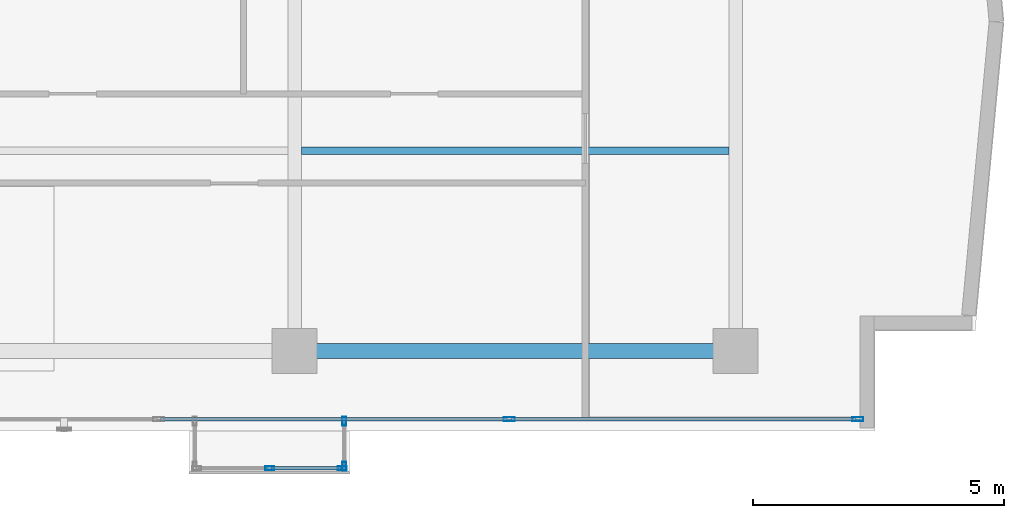
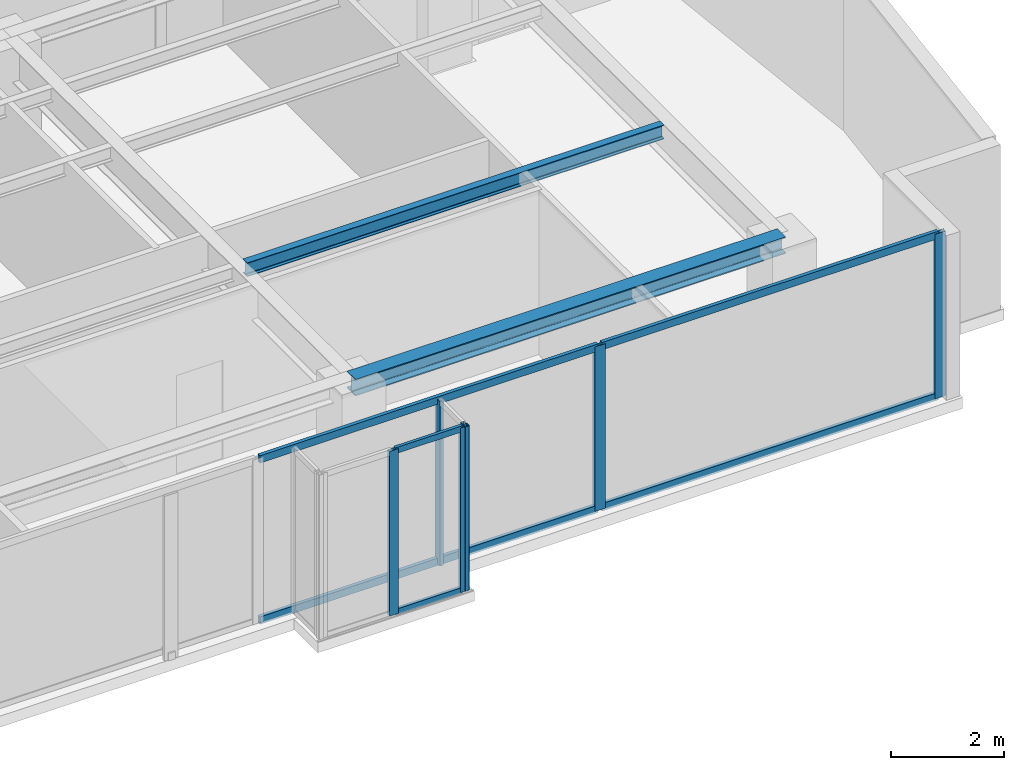
# One storey, part 11 of 24: 12 members, 2 beams, 3 elements without a shape of their own.
"""IFC4 building model written with IfcOpenShell, lengths in metres."""

from ifc_helpers import new_model, si_unit, direction, frame, origin, origin_with_axes, origin_2d, place, context, subcontext, project, spatial, hollow_rectangle, i_section, extrude, source, transform, mapped, material, layer, layer_set, material_profile, profile_set, type_object, element, aggregate, save


model = new_model("IFC4")

# Units and contexts
model_context = context("Model", 3, precision=1e-05, world=origin(), true_north=direction((0.0, 1.0)))
body_context = subcontext(model_context, "Body", "Model", "MODEL_VIEW")
ifc_project = project(units=[si_unit("LENGTHUNIT", "METRE"), si_unit("AREAUNIT", "SQUARE_METRE"), si_unit("VOLUMEUNIT", "CUBIC_METRE"), si_unit("PLANEANGLEUNIT", "RADIAN"), si_unit("MASSUNIT", "GRAM", prefix="KILO")], contexts=[model_context])

# Site, building, storey
site_placement = place(None, origin())
site = spatial("IfcSite", under=ifc_project, at=site_placement, CompositionType="ELEMENT")
building_placement = place(site_placement, origin())
building = spatial("IfcBuilding", under=site, at=building_placement, Name="Kolvaren Waterfront Exchange", CompositionType="ELEMENT")
storey_placement = place(building_placement, frame((0.0, 0.0, 285.60009765625)))
storey = spatial("IfcBuildingStorey", under=building, at=storey_placement, Name="L73", CompositionType="ELEMENT", Elevation=285.60009765625)

# Beams
ifc_material_1 = material(Name="Steel S355", Category="steel")
ifc_material_profile_1 = material_profile(ifc_material_1, i_section(OverallWidth=0.300048828125, OverallDepth=0.360107421875, WebThickness=0.012451171875, FlangeThickness=0.0224609375, FilletRadius=0.027099609375, at=origin_2d()), Name="HEB360")
ifc_profile_set_1 = profile_set([ifc_material_profile_1], Name="Steel S355")
beam_type_1 = type_object("IfcBeamType", Name="STR-BM-HEB360", PredefinedType="SPANDREL", material=ifc_profile_set_1)
beam_1_placement = place(storey_placement, frame((36.800048828125, 5.199951171875, 3.3798828125), z_axis=(1.0, 0.0, 0.0), x_axis=(0.0, 1.0, 0.0)))
element("IfcBeam", 1, at=beam_1_placement, inside=storey, type_object=beam_type_1, Name="L73 east-arm spandrel S3", PredefinedType="SPANDREL", context=body_context, shape_type="SweptSolid", body=[
    extrude(i_section(OverallWidth=0.300048828125, OverallDepth=0.360107421875, WebThickness=0.012451171875, FlangeThickness=0.0224609375, FilletRadius=0.027099609375, at=origin_2d()), origin(), (0.0, 0.0, 1.0), 8.800048828125),
])
ifc_material_profile_2 = material_profile(ifc_material_1, i_section(OverallWidth=0.14990234375, OverallDepth=0.300048828125, WebThickness=0.007080078125, FlangeThickness=0.0107421875, FilletRadius=0.014892578125, at=origin_2d()), Name="IPE300")
ifc_profile_set_2 = profile_set([ifc_material_profile_2], Name="Steel S355")
beam_type_2 = type_object("IfcBeamType", Name="STR-BM-IPE300", PredefinedType="JOIST", material=ifc_profile_set_2)
beam_2_placement = place(storey_placement, frame((36.935546875, 9.199951171875, 3.409912109375), z_axis=(1.0, 0.0, 0.0), x_axis=(0.0, 1.0, 0.0)))
element("IfcBeam", 2, at=beam_2_placement, inside=storey, type_object=beam_type_2, Name="L73 east-arm composite joist 3B", PredefinedType="JOIST", context=body_context, shape_type="SweptSolid", body=[
    extrude(i_section(OverallWidth=0.14990234375, OverallDepth=0.300048828125, WebThickness=0.007080078125, FlangeThickness=0.0107421875, FilletRadius=0.014892578125, at=origin_2d()), origin(), (0.0, 0.0, 1.0), 8.529052734375),
])

# Curtain wall, members
ifc_material_2 = material(Name="Anodised bronze aluminium 6063-T6", Category="aluminium")
ifc_layer_1 = layer(ifc_material_2, 0.219970703125, Name="Anodised bronze aluminium 6063-T6")
ifc_layer_set_1 = layer_set([ifc_layer_1], Name="Anodised bronze aluminium 6063-T6")
curtain_wall_type_1 = type_object("IfcCurtainWallType", Name="ARC-CW-SYS3", PredefinedType="USERDEFINED", material=ifc_layer_set_1)
curtain_wall_1_placement = place(storey_placement, origin())
curtain_wall_1 = element("IfcCurtainWall", 3, at=curtain_wall_1_placement, inside=storey, type_object=curtain_wall_type_1, Name="L73 stick curtain wall CW3 (CW-L73-BOX)", ObjectType="STICK CURTAIN WALL", PredefinedType="USERDEFINED")
ifc_material_profile_3 = material_profile(ifc_material_2, hollow_rectangle(XDim=0.06494140625, YDim=0.1298828125, WallThickness=0.00390625, at=origin_2d()), Name="ALU-TRN-130x65x4")
ifc_profile_set_3 = profile_set([ifc_material_profile_3], Name="Anodised bronze aluminium 6063-T6")
member_type_1 = type_object("IfcMemberType", Name="ARC-CWT-130", PredefinedType="USERDEFINED", material=ifc_profile_set_3)
shared_shape_1 = source(origin_with_axes(), body_context, "Body", "SweptSolid", [
    extrude(hollow_rectangle(XDim=0.06494140625, YDim=0.1298828125, WallThickness=0.00390625, at=origin_2d()), origin(), (0.0, 0.0, 1.0), 1.377685546875),
])
member_1_placement = place(storey_placement, frame((36.33740234375, 2.860107421875, 0.032470703125), z_axis=(1.0, 0.0, 0.0), x_axis=(0.0, 1.0, 0.0)))
member_1 = element("IfcMember", 4, at=member_1_placement, type_object=member_type_1, Name="CW3 transom 2.1", ObjectType="TRANSOM", PredefinedType="USERDEFINED", context=body_context, shape_type="MappedRepresentation", body=[
    mapped(shared_shape_1, transform((0.0, 0.0, 0.0), x_axis=(1.0, 0.0, 0.0), y_axis=(0.0, 1.0, 0.0), z_axis=(0.0, 0.0, 1.0), scale=1.0)),
])
member_2_placement = place(storey_placement, frame((36.33740234375, 2.860107421875, 3.52734375), z_axis=(1.0, 0.0, 0.0), x_axis=(0.0, 1.0, 0.0)))
member_2 = element("IfcMember", 5, at=member_2_placement, type_object=member_type_1, Name="CW3 transom 2.2", ObjectType="TRANSOM", PredefinedType="USERDEFINED", context=body_context, shape_type="MappedRepresentation", body=[
    mapped(shared_shape_1, transform((0.0, 0.0, 0.0), x_axis=(1.0, 0.0, 0.0), y_axis=(0.0, 1.0, 0.0), z_axis=(0.0, 0.0, 1.0), scale=1.0)),
])
ifc_material_profile_4 = material_profile(ifc_material_2, hollow_rectangle(XDim=0.074951171875, YDim=0.179931640625, WallThickness=0.00439453125, at=origin_2d()), Name="ALU-MUL-180x75x4.5")
ifc_profile_set_4 = profile_set([ifc_material_profile_4], Name="Anodised bronze aluminium 6063-T6")
member_type_2 = type_object("IfcMemberType", Name="ARC-CWM-180", PredefinedType="MULLION", material=ifc_profile_set_4)
shared_shape_2 = source(origin_with_axes(), body_context, "Body", "SweptSolid", [
    extrude(hollow_rectangle(XDim=0.074951171875, YDim=0.179931640625, WallThickness=0.00439453125, at=origin_2d()), origin(), (0.0, 0.0, 1.0), 3.559814453125),
])
member_3_placement = place(storey_placement, frame((36.300048828125, 2.860107421875, 0.0), z_axis=(0.0, 0.0, 1.0), x_axis=(0.0, 1.0, 0.0)))
member_3 = element("IfcMember", 6, at=member_3_placement, type_object=member_type_2, Name="CW3 mullion 2", PredefinedType="MULLION", context=body_context, shape_type="MappedRepresentation", body=[
    mapped(shared_shape_2, transform((0.0, 0.0, 0.0), x_axis=(1.0, 0.0, 0.0), y_axis=(0.0, 1.0, 0.0), z_axis=(0.0, 0.0, 1.0), scale=1.0)),
])
member_4_placement = place(storey_placement, frame((37.75244140625, 2.860107421875, 0.0), z_axis=(0.0, 0.0, 1.0), x_axis=(0.0, 1.0, 0.0)))
member_4 = element("IfcMember", 7, at=member_4_placement, type_object=member_type_2, Name="CW3 mullion 3", PredefinedType="MULLION", context=body_context, shape_type="MappedRepresentation", body=[
    mapped(shared_shape_2, transform((0.0, 0.0, 0.0), x_axis=(1.0, 0.0, 0.0), y_axis=(0.0, 1.0, 0.0), z_axis=(0.0, 0.0, 1.0), scale=1.0)),
])
aggregate(curtain_wall_1, [member_3, member_4, member_1, member_2])

curtain_wall_2_placement = place(storey_placement, origin())
curtain_wall_2 = element("IfcCurtainWall", 8, at=curtain_wall_2_placement, inside=storey, type_object=curtain_wall_type_1, Name="L73 stick curtain wall CW3 (CW-L73-BOX-E)", ObjectType="STICK CURTAIN WALL", PredefinedType="USERDEFINED")
member_5_placement = place(storey_placement, frame((37.7900390625, 2.8974609375, 0.0), z_axis=(0.0, 0.0, 1.0), x_axis=(-1.0, 0.0, 0.0)))
member_5 = element("IfcMember", 9, at=member_5_placement, type_object=member_type_2, Name="CW3 mullion 1", PredefinedType="MULLION", context=body_context, shape_type="MappedRepresentation", body=[
    mapped(shared_shape_2, transform((0.0, 0.0, 0.0), x_axis=(1.0, 0.0, 0.0), y_axis=(0.0, 1.0, 0.0), z_axis=(0.0, 0.0, 1.0), scale=1.0)),
])
member_6_placement = place(storey_placement, frame((37.7900390625, 3.802490234375, 0.0), z_axis=(0.0, 0.0, 1.0), x_axis=(-1.0, 0.0, 0.0)))
member_6 = element("IfcMember", 10, at=member_6_placement, type_object=member_type_2, Name="CW3 mullion 2", PredefinedType="MULLION", context=body_context, shape_type="MappedRepresentation", body=[
    mapped(shared_shape_2, transform((0.0, 0.0, 0.0), x_axis=(1.0, 0.0, 0.0), y_axis=(0.0, 1.0, 0.0), z_axis=(0.0, 0.0, 1.0), scale=1.0)),
])
aggregate(curtain_wall_2, [member_5, member_6])

ifc_layer_2 = layer(ifc_material_2, 0.219970703125, Name="Anodised bronze aluminium 6063-T6")
ifc_layer_set_2 = layer_set([ifc_layer_2], Name="Anodised bronze aluminium 6063-T6")
curtain_wall_type_2 = type_object("IfcCurtainWallType", Name="ARC-CW-SYS1", PredefinedType="USERDEFINED", material=ifc_layer_set_2)
curtain_wall_3_placement = place(storey_placement, origin())
curtain_wall_3 = element("IfcCurtainWall", 11, at=curtain_wall_3_placement, inside=storey, type_object=curtain_wall_type_2, Name="L73 stick curtain wall CW1 (CW-L73-S)", ObjectType="STICK CURTAIN WALL", PredefinedType="USERDEFINED")
ifc_material_3 = material(Name="Anodised aluminium 6063-T6", Category="aluminium")
ifc_material_profile_5 = material_profile(ifc_material_3, hollow_rectangle(XDim=0.080078125, YDim=0.219970703125, WallThickness=0.0048828125, at=origin_2d()), Name="ALU-MUL-220x80x5")
ifc_profile_set_5 = profile_set([ifc_material_profile_5], Name="Anodised aluminium 6063-T6")
member_type_3 = type_object("IfcMemberType", Name="ARC-CWM-220", PredefinedType="MULLION", material=ifc_profile_set_5)
shared_shape_3 = source(origin_with_axes(), body_context, "Body", "SweptSolid", [
    extrude(hollow_rectangle(XDim=0.080078125, YDim=0.219970703125, WallThickness=0.0048828125, at=origin_2d()), origin(), (0.0, 0.0, 1.0), 3.559814453125),
])
member_7_placement = place(storey_placement, frame((41.08251953125, 3.840087890625, 0.0), z_axis=(0.0, 0.0, 1.0), x_axis=(0.0, 1.0, 0.0)))
member_7 = element("IfcMember", 12, at=member_7_placement, type_object=member_type_3, Name="CW1 mullion 6", PredefinedType="MULLION", context=body_context, shape_type="MappedRepresentation", body=[
    mapped(shared_shape_3, transform((0.0, 0.0, 0.0), x_axis=(1.0, 0.0, 0.0), y_axis=(0.0, 1.0, 0.0), z_axis=(0.0, 0.0, 1.0), scale=1.0)),
])
member_8_placement = place(storey_placement, frame((48.038818359375, 3.840087890625, 0.0), z_axis=(0.0, 0.0, 1.0), x_axis=(0.0, 1.0, 0.0)))
member_8 = element("IfcMember", 13, at=member_8_placement, type_object=member_type_3, Name="CW1 mullion 7", PredefinedType="MULLION", context=body_context, shape_type="MappedRepresentation", body=[
    mapped(shared_shape_3, transform((0.0, 0.0, 0.0), x_axis=(1.0, 0.0, 0.0), y_axis=(0.0, 1.0, 0.0), z_axis=(0.0, 0.0, 1.0), scale=1.0)),
])
ifc_material_profile_6 = material_profile(ifc_material_3, hollow_rectangle(XDim=0.074951171875, YDim=0.159912109375, WallThickness=0.00439453125, at=origin_2d()), Name="ALU-TRN-160x75x4.5")
ifc_profile_set_6 = profile_set([ifc_material_profile_6], Name="Anodised aluminium 6063-T6")
member_type_4 = type_object("IfcMemberType", Name="ARC-CWT-160", PredefinedType="USERDEFINED", material=ifc_profile_set_6)
shared_shape_4 = source(origin_with_axes(), body_context, "Body", "SweptSolid", [
    extrude(hollow_rectangle(XDim=0.074951171875, YDim=0.159912109375, WallThickness=0.00439453125, at=origin_2d()), origin(), (0.0, 0.0, 1.0), 6.87646484375),
])
member_9_placement = place(storey_placement, frame((41.122314453125, 3.840087890625, 0.037353515625), z_axis=(1.0, 0.0, 0.0), x_axis=(0.0, 1.0, 0.0)))
member_9 = element("IfcMember", 14, at=member_9_placement, type_object=member_type_4, Name="CW1 transom 6.1", ObjectType="TRANSOM", PredefinedType="USERDEFINED", context=body_context, shape_type="MappedRepresentation", body=[
    mapped(shared_shape_4, transform((0.0, 0.0, 0.0), x_axis=(1.0, 0.0, 0.0), y_axis=(0.0, 1.0, 0.0), z_axis=(0.0, 0.0, 1.0), scale=1.0)),
])
member_10_placement = place(storey_placement, frame((41.122314453125, 3.840087890625, 3.5224609375), z_axis=(1.0, 0.0, 0.0), x_axis=(0.0, 1.0, 0.0)))
member_10 = element("IfcMember", 15, at=member_10_placement, type_object=member_type_4, Name="CW1 transom 6.2", ObjectType="TRANSOM", PredefinedType="USERDEFINED", context=body_context, shape_type="MappedRepresentation", body=[
    mapped(shared_shape_4, transform((0.0, 0.0, 0.0), x_axis=(1.0, 0.0, 0.0), y_axis=(0.0, 1.0, 0.0), z_axis=(0.0, 0.0, 1.0), scale=1.0)),
])
shared_shape_5 = source(origin_with_axes(), body_context, "Body", "SweptSolid", [
    extrude(hollow_rectangle(XDim=0.074951171875, YDim=0.159912109375, WallThickness=0.00439453125, at=origin_2d()), origin(), (0.0, 0.0, 1.0), 6.91650390625),
])
member_11_placement = place(storey_placement, frame((34.1259765625, 3.840087890625, 0.037353515625), z_axis=(1.0, 0.0, 0.0), x_axis=(0.0, 1.0, 0.0)))
member_11 = element("IfcMember", 16, at=member_11_placement, type_object=member_type_4, Name="CW1 transom 5.1", ObjectType="TRANSOM", PredefinedType="USERDEFINED", context=body_context, shape_type="MappedRepresentation", body=[
    mapped(shared_shape_5, transform((0.0, 0.0, 0.0), x_axis=(1.0, 0.0, 0.0), y_axis=(0.0, 1.0, 0.0), z_axis=(0.0, 0.0, 1.0), scale=1.0)),
])
member_12_placement = place(storey_placement, frame((34.1259765625, 3.840087890625, 3.5224609375), z_axis=(1.0, 0.0, 0.0), x_axis=(0.0, 1.0, 0.0)))
member_12 = element("IfcMember", 17, at=member_12_placement, type_object=member_type_4, Name="CW1 transom 5.2", ObjectType="TRANSOM", PredefinedType="USERDEFINED", context=body_context, shape_type="MappedRepresentation", body=[
    mapped(shared_shape_5, transform((0.0, 0.0, 0.0), x_axis=(1.0, 0.0, 0.0), y_axis=(0.0, 1.0, 0.0), z_axis=(0.0, 0.0, 1.0), scale=1.0)),
])
aggregate(curtain_wall_3, [member_7, member_8, member_11, member_12, member_9, member_10])

save(model, "model.ifc")
